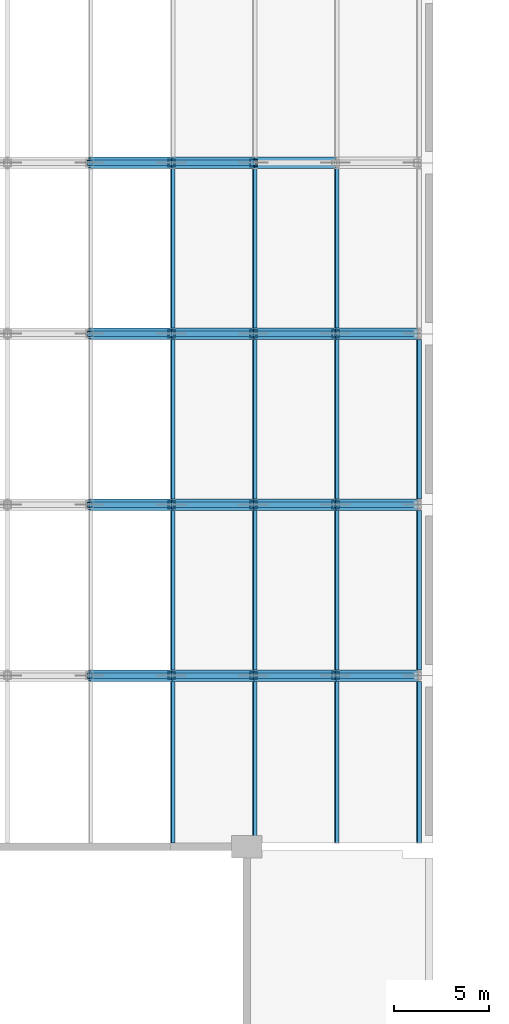
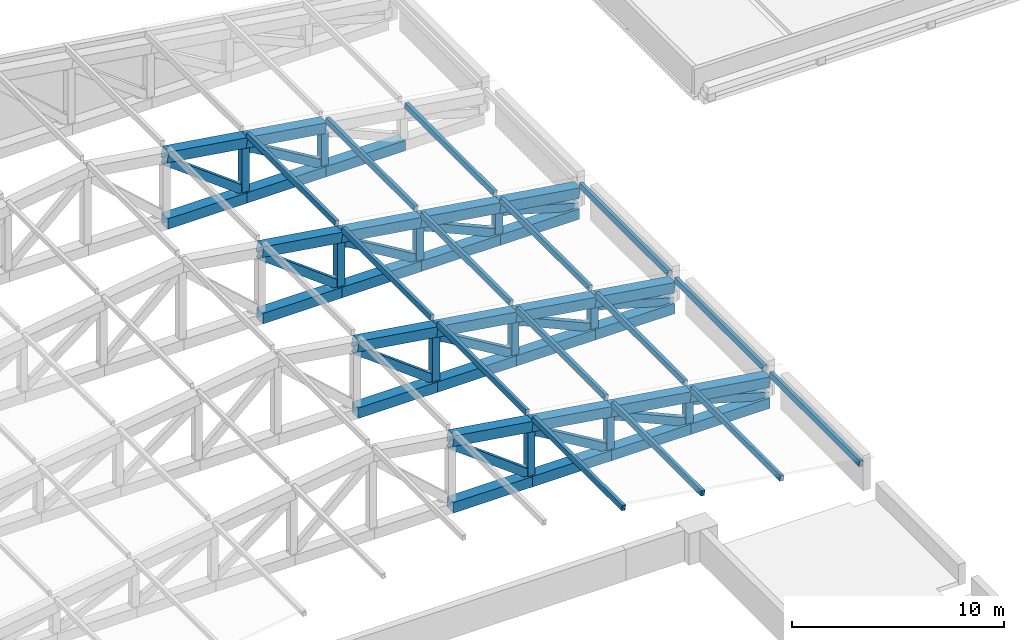
# One storey, part 13 of 32: 69 members.
"""IFC4 building model written with IfcOpenShell, lengths in metres."""

from ifc_helpers import new_model, si_unit, direction, frame, origin, origin_2d, place, context, subcontext, project, spatial, hollow_rectangle, extrude, material, material_profile, profile_set, type_object, element, save


model = new_model("IFC4")

# Units and contexts
model_context = context("Model", 3, precision=1e-05, world=origin(), true_north=direction((0.0, 1.0)))
body_context = subcontext(model_context, "Body", "Model", "MODEL_VIEW")
ifc_project = project(units=[si_unit("LENGTHUNIT", "METRE"), si_unit("AREAUNIT", "SQUARE_METRE"), si_unit("VOLUMEUNIT", "CUBIC_METRE"), si_unit("PLANEANGLEUNIT", "RADIAN"), si_unit("MASSUNIT", "GRAM", prefix="KILO")], contexts=[model_context])

# Site, building, storey
site_placement = place(None, origin())
site = spatial("IfcSite", under=ifc_project, at=site_placement, CompositionType="ELEMENT")
building_placement = place(site_placement, origin())
building = spatial("IfcBuilding", under=site, at=building_placement, Name="Aravalli Gate Trade Fair Centre", CompositionType="ELEMENT")
storey_placement = place(building_placement, frame((0.0, 0.0, 23.39990234375)))
storey = spatial("IfcBuildingStorey", under=building, at=storey_placement, Name="ROOF LEVEL 1", CompositionType="ELEMENT", Elevation=23.39990234375)

# Members
ifc_material = material(Name="Steel E350", Category="steel")
ifc_material_profile_1 = material_profile(ifc_material, hollow_rectangle(XDim=0.199951171875, YDim=0.300048828125, WallThickness=0.011962890625, at=origin_2d()), Name="RHS 300x200x12")
ifc_profile_set_1 = profile_set([ifc_material_profile_1], Name="Steel E350")
member_type_1 = type_object("IfcMemberType", Name="Congress roof purlin RHS 300x200x12", PredefinedType="PURLIN", material=ifc_profile_set_1)
member_1_placement = place(storey_placement, frame((137.10791015625, 64.199951171875, 3.9248046875), z_axis=(0.0, 1.0, 0.0), x_axis=(-0.988529762953, 0.0, 0.151026182356)))
element("IfcMember", 1, at=member_1_placement, inside=storey, type_object=member_type_1, Name="Roof purlin line 8 bay 1", PredefinedType="PURLIN", context=body_context, shape_type="SweptSolid", body=[
    extrude(hollow_rectangle(XDim=0.199951171875, YDim=0.300048828125, WallThickness=0.011962890625, at=origin_2d()), origin(), (0.0, 0.0, 1.0), 8.5),
])
for number, where, z_axis, x_axis, name in (
    (2, (137.10791015625, 73.300048828125, 3.9248046875), (0.0, 1.0, 0.0), (-0.988529762953, 0.0, 0.151026182356), "Roof purlin line 8 bay 2"),
    (3, (137.10791015625, 82.300048828125, 3.9248046875), (0.0, 1.0, 0.0), (-0.988529762953, 0.0, 0.151026182356), "Roof purlin line 8 bay 3"),
    (4, (137.10791015625, 91.300048828125, 3.9248046875), (0.0, 1.0, 0.0), (-0.988529762953, 0.0, 0.151026182356), "Roof purlin line 8 bay 4"),
):
    element("IfcMember", number, at=place(storey_placement, frame(where, z_axis=z_axis, x_axis=x_axis)), inside=storey, type_object=member_type_1, Name=name, PredefinedType="PURLIN", context=body_context, shape_type="SweptSolid", body=[
        extrude(hollow_rectangle(XDim=0.199951171875, YDim=0.300048828125, WallThickness=0.011962890625, at=origin_2d()), origin(), (0.0, 0.0, 1.0), 8.39990234375),
    ])
member_2_placement = place(storey_placement, frame((141.427978515625, 64.199951171875, 3.264892578125), z_axis=(0.0, 1.0, 0.0), x_axis=(-0.988529762953, 0.0, 0.151026182356)))
element("IfcMember", 5, at=member_2_placement, inside=storey, type_object=member_type_1, Name="Roof purlin line 9 bay 1", PredefinedType="PURLIN", context=body_context, shape_type="SweptSolid", body=[
    extrude(hollow_rectangle(XDim=0.199951171875, YDim=0.300048828125, WallThickness=0.011962890625, at=origin_2d()), origin(), (0.0, 0.0, 1.0), 8.5),
])
for number, where, z_axis, x_axis, name in (
    (6, (141.427978515625, 73.300048828125, 3.264892578125), (0.0, 1.0, 0.0), (-0.988529762953, 0.0, 0.151026182356), "Roof purlin line 9 bay 2"),
    (7, (141.427978515625, 82.300048828125, 3.264892578125), (0.0, 1.0, 0.0), (-0.988529762953, 0.0, 0.151026182356), "Roof purlin line 9 bay 3"),
    (8, (141.427978515625, 91.300048828125, 3.264892578125), (0.0, 1.0, 0.0), (-0.988529762953, 0.0, 0.151026182356), "Roof purlin line 9 bay 4"),
):
    element("IfcMember", number, at=place(storey_placement, frame(where, z_axis=z_axis, x_axis=x_axis)), inside=storey, type_object=member_type_1, Name=name, PredefinedType="PURLIN", context=body_context, shape_type="SweptSolid", body=[
        extrude(hollow_rectangle(XDim=0.199951171875, YDim=0.300048828125, WallThickness=0.011962890625, at=origin_2d()), origin(), (0.0, 0.0, 1.0), 8.39990234375),
    ])
member_3_placement = place(storey_placement, frame((145.748046875, 64.199951171875, 2.60498046875), z_axis=(0.0, 1.0, 0.0), x_axis=(-0.988529762953, 0.0, 0.151026182356)))
element("IfcMember", 9, at=member_3_placement, inside=storey, type_object=member_type_1, Name="Roof purlin line 10 bay 1", PredefinedType="PURLIN", context=body_context, shape_type="SweptSolid", body=[
    extrude(hollow_rectangle(XDim=0.199951171875, YDim=0.300048828125, WallThickness=0.011962890625, at=origin_2d()), origin(), (0.0, 0.0, 1.0), 8.5),
])
for number, where, z_axis, x_axis, name in (
    (10, (145.748046875, 73.300048828125, 2.60498046875), (0.0, 1.0, 0.0), (-0.988529762953, 0.0, 0.151026182356), "Roof purlin line 10 bay 2"),
    (11, (145.748046875, 82.300048828125, 2.60498046875), (0.0, 1.0, 0.0), (-0.988529762953, 0.0, 0.151026182356), "Roof purlin line 10 bay 3"),
    (12, (145.748046875, 91.300048828125, 2.60498046875), (0.0, 1.0, 0.0), (-0.988529762953, 0.0, 0.151026182356), "Roof purlin line 10 bay 4"),
):
    element("IfcMember", number, at=place(storey_placement, frame(where, z_axis=z_axis, x_axis=x_axis)), inside=storey, type_object=member_type_1, Name=name, PredefinedType="PURLIN", context=body_context, shape_type="SweptSolid", body=[
        extrude(hollow_rectangle(XDim=0.199951171875, YDim=0.300048828125, WallThickness=0.011962890625, at=origin_2d()), origin(), (0.0, 0.0, 1.0), 8.39990234375),
    ])
member_4_placement = place(storey_placement, frame((150.068115234375, 64.199951171875, 1.94482421875), z_axis=(0.0, 1.0, 0.0), x_axis=(-0.988529762953, 0.0, 0.151026182356)))
element("IfcMember", 13, at=member_4_placement, inside=storey, type_object=member_type_1, Name="Roof purlin line 11 bay 1", PredefinedType="PURLIN", context=body_context, shape_type="SweptSolid", body=[
    extrude(hollow_rectangle(XDim=0.199951171875, YDim=0.300048828125, WallThickness=0.011962890625, at=origin_2d()), origin(), (0.0, 0.0, 1.0), 8.5),
])
for number, where, z_axis, x_axis, name in (
    (14, (150.068115234375, 73.300048828125, 1.94482421875), (0.0, 1.0, 0.0), (-0.988529762953, 0.0, 0.151026182356), "Roof purlin line 11 bay 2"),
    (15, (150.068115234375, 82.300048828125, 1.94482421875), (0.0, 1.0, 0.0), (-0.988529762953, 0.0, 0.151026182356), "Roof purlin line 11 bay 3"),
):
    element("IfcMember", number, at=place(storey_placement, frame(where, z_axis=z_axis, x_axis=x_axis)), inside=storey, type_object=member_type_1, Name=name, PredefinedType="PURLIN", context=body_context, shape_type="SweptSolid", body=[
        extrude(hollow_rectangle(XDim=0.199951171875, YDim=0.300048828125, WallThickness=0.011962890625, at=origin_2d()), origin(), (0.0, 0.0, 1.0), 8.39990234375),
    ])
ifc_material_profile_2 = material_profile(ifc_material, hollow_rectangle(XDim=0.60009765625, YDim=0.60009765625, WallThickness=0.02490234375, at=origin_2d()), Name="BOX 600x600x25")
ifc_profile_set_2 = profile_set([ifc_material_profile_2], Name="Steel E350")
member_type_2 = type_object("IfcMemberType", Name="Congress roof truss chord BOX 600x600x25", PredefinedType="CHORD", material=ifc_profile_set_2)
member_5_placement = place(storey_placement, frame((132.719970703125, 73.0, 0.300048828125), z_axis=(1.0, 0.0, 0.0), x_axis=(0.0, 1.0, 0.0)))
element("IfcMember", 16, at=member_5_placement, inside=storey, type_object=member_type_2, Name="Roof truss 73 bottom chord 7", PredefinedType="CHORD", context=body_context, shape_type="SweptSolid", body=[
    extrude(hollow_rectangle(XDim=0.60009765625, YDim=0.60009765625, WallThickness=0.02490234375, at=origin_2d()), origin(), (0.0, 0.0, 1.0), 4.320068359375),
])
member_6_placement = place(storey_placement, frame((132.719970703125, 73.0, 4.14013671875), z_axis=(0.988524901177, 0.0, -0.151058001288), x_axis=(0.0, 1.0, 0.0)))
element("IfcMember", 17, at=member_6_placement, inside=storey, type_object=member_type_2, Name="Roof truss 73 top chord 7", PredefinedType="CHORD", context=body_context, shape_type="SweptSolid", body=[
    extrude(hollow_rectangle(XDim=0.60009765625, YDim=0.60009765625, WallThickness=0.02490234375, at=origin_2d()), origin(), (0.0, 0.0, 1.0), 4.3701171875),
])
member_7_placement = place(storey_placement, frame((137.0400390625, 73.0, 0.300048828125), z_axis=(1.0, 0.0, 0.0), x_axis=(0.0, 1.0, 0.0)))
element("IfcMember", 18, at=member_7_placement, inside=storey, type_object=member_type_2, Name="Roof truss 73 bottom chord 8", PredefinedType="CHORD", context=body_context, shape_type="SweptSolid", body=[
    extrude(hollow_rectangle(XDim=0.60009765625, YDim=0.60009765625, WallThickness=0.02490234375, at=origin_2d()), origin(), (0.0, 0.0, 1.0), 4.320068359375),
])
member_8_placement = place(storey_placement, frame((137.0400390625, 73.0, 3.47998046875), z_axis=(0.988533241706, 0.0, -0.1510034107), x_axis=(0.0, 1.0, 0.0)))
element("IfcMember", 19, at=member_8_placement, inside=storey, type_object=member_type_2, Name="Roof truss 73 top chord 8", PredefinedType="CHORD", context=body_context, shape_type="SweptSolid", body=[
    extrude(hollow_rectangle(XDim=0.60009765625, YDim=0.60009765625, WallThickness=0.02490234375, at=origin_2d()), origin(), (0.0, 0.0, 1.0), 4.3701171875),
])
member_9_placement = place(storey_placement, frame((141.360107421875, 73.0, 0.300048828125), z_axis=(1.0, 0.0, 0.0), x_axis=(0.0, 1.0, 0.0)))
element("IfcMember", 20, at=member_9_placement, inside=storey, type_object=member_type_2, Name="Roof truss 73 bottom chord 9", PredefinedType="CHORD", context=body_context, shape_type="SweptSolid", body=[
    extrude(hollow_rectangle(XDim=0.60009765625, YDim=0.60009765625, WallThickness=0.02490234375, at=origin_2d()), origin(), (0.0, 0.0, 1.0), 4.31982421875),
])
member_10_placement = place(storey_placement, frame((141.360107421875, 73.0, 2.820068359375), z_axis=(0.988531967762, 0.0, -0.151011750246), x_axis=(0.0, 1.0, 0.0)))
element("IfcMember", 21, at=member_10_placement, inside=storey, type_object=member_type_2, Name="Roof truss 73 top chord 9", PredefinedType="CHORD", context=body_context, shape_type="SweptSolid", body=[
    extrude(hollow_rectangle(XDim=0.60009765625, YDim=0.60009765625, WallThickness=0.02490234375, at=origin_2d()), origin(), (0.0, 0.0, 1.0), 4.369873046875),
])
member_11_placement = place(storey_placement, frame((145.679931640625, 73.0, 0.300048828125), z_axis=(1.0, 0.0, 0.0), x_axis=(0.0, 1.0, 0.0)))
element("IfcMember", 22, at=member_11_placement, inside=storey, type_object=member_type_2, Name="Roof truss 73 bottom chord 10", PredefinedType="CHORD", context=body_context, shape_type="SweptSolid", body=[
    extrude(hollow_rectangle(XDim=0.60009765625, YDim=0.60009765625, WallThickness=0.02490234375, at=origin_2d()), origin(), (0.0, 0.0, 1.0), 4.320068359375),
])
member_12_placement = place(storey_placement, frame((145.679931640625, 73.0, 2.16015625), z_axis=(0.988524901177, 0.0, -0.151058001288), x_axis=(0.0, 1.0, 0.0)))
element("IfcMember", 23, at=member_12_placement, inside=storey, type_object=member_type_2, Name="Roof truss 73 top chord 10", PredefinedType="CHORD", context=body_context, shape_type="SweptSolid", body=[
    extrude(hollow_rectangle(XDim=0.60009765625, YDim=0.60009765625, WallThickness=0.02490234375, at=origin_2d()), origin(), (0.0, 0.0, 1.0), 4.3701171875),
])
member_13_placement = place(storey_placement, frame((132.719970703125, 82.0, 0.300048828125), z_axis=(1.0, 0.0, 0.0), x_axis=(0.0, 1.0, 0.0)))
element("IfcMember", 24, at=member_13_placement, inside=storey, type_object=member_type_2, Name="Roof truss 82 bottom chord 7", PredefinedType="CHORD", context=body_context, shape_type="SweptSolid", body=[
    extrude(hollow_rectangle(XDim=0.60009765625, YDim=0.60009765625, WallThickness=0.02490234375, at=origin_2d()), origin(), (0.0, 0.0, 1.0), 4.320068359375),
])
member_14_placement = place(storey_placement, frame((132.719970703125, 82.0, 4.14013671875), z_axis=(0.988524901177, 0.0, -0.151058001288), x_axis=(0.0, 1.0, 0.0)))
element("IfcMember", 25, at=member_14_placement, inside=storey, type_object=member_type_2, Name="Roof truss 82 top chord 7", PredefinedType="CHORD", context=body_context, shape_type="SweptSolid", body=[
    extrude(hollow_rectangle(XDim=0.60009765625, YDim=0.60009765625, WallThickness=0.02490234375, at=origin_2d()), origin(), (0.0, 0.0, 1.0), 4.3701171875),
])
member_15_placement = place(storey_placement, frame((137.0400390625, 82.0, 0.300048828125), z_axis=(1.0, 0.0, 0.0), x_axis=(0.0, 1.0, 0.0)))
element("IfcMember", 26, at=member_15_placement, inside=storey, type_object=member_type_2, Name="Roof truss 82 bottom chord 8", PredefinedType="CHORD", context=body_context, shape_type="SweptSolid", body=[
    extrude(hollow_rectangle(XDim=0.60009765625, YDim=0.60009765625, WallThickness=0.02490234375, at=origin_2d()), origin(), (0.0, 0.0, 1.0), 4.320068359375),
])
member_16_placement = place(storey_placement, frame((137.0400390625, 82.0, 3.47998046875), z_axis=(0.988533241706, 0.0, -0.1510034107), x_axis=(0.0, 1.0, 0.0)))
element("IfcMember", 27, at=member_16_placement, inside=storey, type_object=member_type_2, Name="Roof truss 82 top chord 8", PredefinedType="CHORD", context=body_context, shape_type="SweptSolid", body=[
    extrude(hollow_rectangle(XDim=0.60009765625, YDim=0.60009765625, WallThickness=0.02490234375, at=origin_2d()), origin(), (0.0, 0.0, 1.0), 4.3701171875),
])
member_17_placement = place(storey_placement, frame((141.360107421875, 82.0, 0.300048828125), z_axis=(1.0, 0.0, 0.0), x_axis=(0.0, 1.0, 0.0)))
element("IfcMember", 28, at=member_17_placement, inside=storey, type_object=member_type_2, Name="Roof truss 82 bottom chord 9", PredefinedType="CHORD", context=body_context, shape_type="SweptSolid", body=[
    extrude(hollow_rectangle(XDim=0.60009765625, YDim=0.60009765625, WallThickness=0.02490234375, at=origin_2d()), origin(), (0.0, 0.0, 1.0), 4.31982421875),
])
member_18_placement = place(storey_placement, frame((141.360107421875, 82.0, 2.820068359375), z_axis=(0.988531967762, 0.0, -0.151011750246), x_axis=(0.0, 1.0, 0.0)))
element("IfcMember", 29, at=member_18_placement, inside=storey, type_object=member_type_2, Name="Roof truss 82 top chord 9", PredefinedType="CHORD", context=body_context, shape_type="SweptSolid", body=[
    extrude(hollow_rectangle(XDim=0.60009765625, YDim=0.60009765625, WallThickness=0.02490234375, at=origin_2d()), origin(), (0.0, 0.0, 1.0), 4.369873046875),
])
member_19_placement = place(storey_placement, frame((145.679931640625, 82.0, 0.300048828125), z_axis=(1.0, 0.0, 0.0), x_axis=(0.0, 1.0, 0.0)))
element("IfcMember", 30, at=member_19_placement, inside=storey, type_object=member_type_2, Name="Roof truss 82 bottom chord 10", PredefinedType="CHORD", context=body_context, shape_type="SweptSolid", body=[
    extrude(hollow_rectangle(XDim=0.60009765625, YDim=0.60009765625, WallThickness=0.02490234375, at=origin_2d()), origin(), (0.0, 0.0, 1.0), 4.320068359375),
])
member_20_placement = place(storey_placement, frame((145.679931640625, 82.0, 2.16015625), z_axis=(0.988524901177, 0.0, -0.151058001288), x_axis=(0.0, 1.0, 0.0)))
element("IfcMember", 31, at=member_20_placement, inside=storey, type_object=member_type_2, Name="Roof truss 82 top chord 10", PredefinedType="CHORD", context=body_context, shape_type="SweptSolid", body=[
    extrude(hollow_rectangle(XDim=0.60009765625, YDim=0.60009765625, WallThickness=0.02490234375, at=origin_2d()), origin(), (0.0, 0.0, 1.0), 4.3701171875),
])
member_21_placement = place(storey_placement, frame((132.719970703125, 91.0, 0.300048828125), z_axis=(1.0, 0.0, 0.0), x_axis=(0.0, 1.0, 0.0)))
element("IfcMember", 32, at=member_21_placement, inside=storey, type_object=member_type_2, Name="Roof truss 91 bottom chord 7", PredefinedType="CHORD", context=body_context, shape_type="SweptSolid", body=[
    extrude(hollow_rectangle(XDim=0.60009765625, YDim=0.60009765625, WallThickness=0.02490234375, at=origin_2d()), origin(), (0.0, 0.0, 1.0), 4.320068359375),
])
member_22_placement = place(storey_placement, frame((132.719970703125, 91.0, 4.14013671875), z_axis=(0.988524901177, 0.0, -0.151058001288), x_axis=(0.0, 1.0, 0.0)))
element("IfcMember", 33, at=member_22_placement, inside=storey, type_object=member_type_2, Name="Roof truss 91 top chord 7", PredefinedType="CHORD", context=body_context, shape_type="SweptSolid", body=[
    extrude(hollow_rectangle(XDim=0.60009765625, YDim=0.60009765625, WallThickness=0.02490234375, at=origin_2d()), origin(), (0.0, 0.0, 1.0), 4.3701171875),
])
member_23_placement = place(storey_placement, frame((137.0400390625, 91.0, 0.300048828125), z_axis=(1.0, 0.0, 0.0), x_axis=(0.0, 1.0, 0.0)))
element("IfcMember", 34, at=member_23_placement, inside=storey, type_object=member_type_2, Name="Roof truss 91 bottom chord 8", PredefinedType="CHORD", context=body_context, shape_type="SweptSolid", body=[
    extrude(hollow_rectangle(XDim=0.60009765625, YDim=0.60009765625, WallThickness=0.02490234375, at=origin_2d()), origin(), (0.0, 0.0, 1.0), 4.320068359375),
])
member_24_placement = place(storey_placement, frame((137.0400390625, 91.0, 3.47998046875), z_axis=(0.988533241706, 0.0, -0.1510034107), x_axis=(0.0, 1.0, 0.0)))
element("IfcMember", 35, at=member_24_placement, inside=storey, type_object=member_type_2, Name="Roof truss 91 top chord 8", PredefinedType="CHORD", context=body_context, shape_type="SweptSolid", body=[
    extrude(hollow_rectangle(XDim=0.60009765625, YDim=0.60009765625, WallThickness=0.02490234375, at=origin_2d()), origin(), (0.0, 0.0, 1.0), 4.3701171875),
])
member_25_placement = place(storey_placement, frame((141.360107421875, 91.0, 0.300048828125), z_axis=(1.0, 0.0, 0.0), x_axis=(0.0, 1.0, 0.0)))
element("IfcMember", 36, at=member_25_placement, inside=storey, type_object=member_type_2, Name="Roof truss 91 bottom chord 9", PredefinedType="CHORD", context=body_context, shape_type="SweptSolid", body=[
    extrude(hollow_rectangle(XDim=0.60009765625, YDim=0.60009765625, WallThickness=0.02490234375, at=origin_2d()), origin(), (0.0, 0.0, 1.0), 4.31982421875),
])
member_26_placement = place(storey_placement, frame((141.360107421875, 91.0, 2.820068359375), z_axis=(0.988531967762, 0.0, -0.151011750246), x_axis=(0.0, 1.0, 0.0)))
element("IfcMember", 37, at=member_26_placement, inside=storey, type_object=member_type_2, Name="Roof truss 91 top chord 9", PredefinedType="CHORD", context=body_context, shape_type="SweptSolid", body=[
    extrude(hollow_rectangle(XDim=0.60009765625, YDim=0.60009765625, WallThickness=0.02490234375, at=origin_2d()), origin(), (0.0, 0.0, 1.0), 4.369873046875),
])
member_27_placement = place(storey_placement, frame((145.679931640625, 91.0, 0.300048828125), z_axis=(1.0, 0.0, 0.0), x_axis=(0.0, 1.0, 0.0)))
element("IfcMember", 38, at=member_27_placement, inside=storey, type_object=member_type_2, Name="Roof truss 91 bottom chord 10", PredefinedType="CHORD", context=body_context, shape_type="SweptSolid", body=[
    extrude(hollow_rectangle(XDim=0.60009765625, YDim=0.60009765625, WallThickness=0.02490234375, at=origin_2d()), origin(), (0.0, 0.0, 1.0), 4.320068359375),
])
member_28_placement = place(storey_placement, frame((145.679931640625, 91.0, 2.16015625), z_axis=(0.988524901177, 0.0, -0.151058001288), x_axis=(0.0, 1.0, 0.0)))
element("IfcMember", 39, at=member_28_placement, inside=storey, type_object=member_type_2, Name="Roof truss 91 top chord 10", PredefinedType="CHORD", context=body_context, shape_type="SweptSolid", body=[
    extrude(hollow_rectangle(XDim=0.60009765625, YDim=0.60009765625, WallThickness=0.02490234375, at=origin_2d()), origin(), (0.0, 0.0, 1.0), 4.3701171875),
])
member_29_placement = place(storey_placement, frame((132.719970703125, 100.0, 0.300048828125), z_axis=(1.0, 0.0, 0.0), x_axis=(0.0, 1.0, 0.0)))
element("IfcMember", 40, at=member_29_placement, inside=storey, type_object=member_type_2, Name="Roof truss 100 bottom chord 7", PredefinedType="CHORD", context=body_context, shape_type="SweptSolid", body=[
    extrude(hollow_rectangle(XDim=0.60009765625, YDim=0.60009765625, WallThickness=0.02490234375, at=origin_2d()), origin(), (0.0, 0.0, 1.0), 4.320068359375),
])
member_30_placement = place(storey_placement, frame((132.719970703125, 100.0, 4.14013671875), z_axis=(0.988524901177, 0.0, -0.151058001288), x_axis=(0.0, 1.0, 0.0)))
element("IfcMember", 41, at=member_30_placement, inside=storey, type_object=member_type_2, Name="Roof truss 100 top chord 7", PredefinedType="CHORD", context=body_context, shape_type="SweptSolid", body=[
    extrude(hollow_rectangle(XDim=0.60009765625, YDim=0.60009765625, WallThickness=0.02490234375, at=origin_2d()), origin(), (0.0, 0.0, 1.0), 4.3701171875),
])
member_31_placement = place(storey_placement, frame((137.0400390625, 100.0, 0.300048828125), z_axis=(1.0, 0.0, 0.0), x_axis=(0.0, 1.0, 0.0)))
element("IfcMember", 42, at=member_31_placement, inside=storey, type_object=member_type_2, Name="Roof truss 100 bottom chord 8", PredefinedType="CHORD", context=body_context, shape_type="SweptSolid", body=[
    extrude(hollow_rectangle(XDim=0.60009765625, YDim=0.60009765625, WallThickness=0.02490234375, at=origin_2d()), origin(), (0.0, 0.0, 1.0), 4.320068359375),
])
member_32_placement = place(storey_placement, frame((137.0400390625, 100.0, 3.47998046875), z_axis=(0.988533241706, 0.0, -0.1510034107), x_axis=(0.0, 1.0, 0.0)))
element("IfcMember", 43, at=member_32_placement, inside=storey, type_object=member_type_2, Name="Roof truss 100 top chord 8", PredefinedType="CHORD", context=body_context, shape_type="SweptSolid", body=[
    extrude(hollow_rectangle(XDim=0.60009765625, YDim=0.60009765625, WallThickness=0.02490234375, at=origin_2d()), origin(), (0.0, 0.0, 1.0), 4.3701171875),
])
member_33_placement = place(storey_placement, frame((141.360107421875, 100.0, 0.300048828125), z_axis=(1.0, 0.0, 0.0), x_axis=(0.0, 1.0, 0.0)))
element("IfcMember", 44, at=member_33_placement, inside=storey, type_object=member_type_2, Name="Roof truss 100 bottom chord 9", PredefinedType="CHORD", context=body_context, shape_type="SweptSolid", body=[
    extrude(hollow_rectangle(XDim=0.60009765625, YDim=0.60009765625, WallThickness=0.02490234375, at=origin_2d()), origin(), (0.0, 0.0, 1.0), 4.31982421875),
])
ifc_material_profile_3 = material_profile(ifc_material, hollow_rectangle(XDim=0.300048828125, YDim=0.449951171875, WallThickness=0.02001953125, at=origin_2d()), Name="RHS 450x300x20")
ifc_profile_set_3 = profile_set([ifc_material_profile_3], Name="Steel E350")
member_type_3 = type_object("IfcMemberType", Name="Congress roof truss diagonal RHS 450x300x20", PredefinedType="BRACE", material=ifc_profile_set_3)
member_34_placement = place(storey_placement, frame((137.0400390625, 73.0, 0.60009765625), z_axis=(-0.800309253103, 0.0, 0.599587440994), x_axis=(0.0, -1.0, 0.0)))
element("IfcMember", 45, at=member_34_placement, inside=storey, type_object=member_type_3, Name="Roof truss 73 diagonal 7", PredefinedType="BRACE", context=body_context, shape_type="SweptSolid", body=[
    extrude(hollow_rectangle(XDim=0.300048828125, YDim=0.449951171875, WallThickness=0.02001953125, at=origin_2d()), origin(), (0.0, 0.0, 1.0), 5.39794921875),
])
member_35_placement = place(storey_placement, frame((141.360107421875, 73.0, 0.60009765625), z_axis=(-0.858860337137, 0.0, 0.512209841074), x_axis=(0.0, -1.0, 0.0)))
element("IfcMember", 46, at=member_35_placement, inside=storey, type_object=member_type_3, Name="Roof truss 73 diagonal 8", PredefinedType="BRACE", context=body_context, shape_type="SweptSolid", body=[
    extrude(hollow_rectangle(XDim=0.300048828125, YDim=0.449951171875, WallThickness=0.02001953125, at=origin_2d()), origin(), (0.0, 0.0, 1.0), 5.030029296875),
])
member_36_placement = place(storey_placement, frame((145.679931640625, 73.0, 0.60009765625), z_axis=(-0.914079770282, 0.0, 0.405534429564), x_axis=(0.0, -1.0, 0.0)))
element("IfcMember", 47, at=member_36_placement, inside=storey, type_object=member_type_3, Name="Roof truss 73 diagonal 9", PredefinedType="BRACE", context=body_context, shape_type="SweptSolid", body=[
    extrude(hollow_rectangle(XDim=0.300048828125, YDim=0.449951171875, WallThickness=0.02001953125, at=origin_2d()), origin(), (0.0, 0.0, 1.0), 4.725830078125),
])
member_37_placement = place(storey_placement, frame((150.0, 73.0, 0.60009765625), z_axis=(-0.960204557867, 0.0, 0.279297703269), x_axis=(0.0, -1.0, 0.0)))
element("IfcMember", 48, at=member_37_placement, inside=storey, type_object=member_type_3, Name="Roof truss 73 diagonal 10", PredefinedType="BRACE", context=body_context, shape_type="SweptSolid", body=[
    extrude(hollow_rectangle(XDim=0.300048828125, YDim=0.449951171875, WallThickness=0.02001953125, at=origin_2d()), origin(), (0.0, 0.0, 1.0), 4.4990234375),
])
member_38_placement = place(storey_placement, frame((137.0400390625, 82.0, 0.60009765625), z_axis=(-0.800309253103, 0.0, 0.599587440994), x_axis=(0.0, -1.0, 0.0)))
element("IfcMember", 49, at=member_38_placement, inside=storey, type_object=member_type_3, Name="Roof truss 82 diagonal 7", PredefinedType="BRACE", context=body_context, shape_type="SweptSolid", body=[
    extrude(hollow_rectangle(XDim=0.300048828125, YDim=0.449951171875, WallThickness=0.02001953125, at=origin_2d()), origin(), (0.0, 0.0, 1.0), 5.39794921875),
])
member_39_placement = place(storey_placement, frame((141.360107421875, 82.0, 0.60009765625), z_axis=(-0.858860337137, 0.0, 0.512209841074), x_axis=(0.0, -1.0, 0.0)))
element("IfcMember", 50, at=member_39_placement, inside=storey, type_object=member_type_3, Name="Roof truss 82 diagonal 8", PredefinedType="BRACE", context=body_context, shape_type="SweptSolid", body=[
    extrude(hollow_rectangle(XDim=0.300048828125, YDim=0.449951171875, WallThickness=0.02001953125, at=origin_2d()), origin(), (0.0, 0.0, 1.0), 5.030029296875),
])
member_40_placement = place(storey_placement, frame((145.679931640625, 82.0, 0.60009765625), z_axis=(-0.914079770282, 0.0, 0.405534429564), x_axis=(0.0, -1.0, 0.0)))
element("IfcMember", 51, at=member_40_placement, inside=storey, type_object=member_type_3, Name="Roof truss 82 diagonal 9", PredefinedType="BRACE", context=body_context, shape_type="SweptSolid", body=[
    extrude(hollow_rectangle(XDim=0.300048828125, YDim=0.449951171875, WallThickness=0.02001953125, at=origin_2d()), origin(), (0.0, 0.0, 1.0), 4.725830078125),
])
member_41_placement = place(storey_placement, frame((150.0, 82.0, 0.60009765625), z_axis=(-0.960204557867, 0.0, 0.279297703269), x_axis=(0.0, -1.0, 0.0)))
element("IfcMember", 52, at=member_41_placement, inside=storey, type_object=member_type_3, Name="Roof truss 82 diagonal 10", PredefinedType="BRACE", context=body_context, shape_type="SweptSolid", body=[
    extrude(hollow_rectangle(XDim=0.300048828125, YDim=0.449951171875, WallThickness=0.02001953125, at=origin_2d()), origin(), (0.0, 0.0, 1.0), 4.4990234375),
])
member_42_placement = place(storey_placement, frame((137.0400390625, 91.0, 0.60009765625), z_axis=(-0.800309253103, 0.0, 0.599587440994), x_axis=(0.0, -1.0, 0.0)))
element("IfcMember", 53, at=member_42_placement, inside=storey, type_object=member_type_3, Name="Roof truss 91 diagonal 7", PredefinedType="BRACE", context=body_context, shape_type="SweptSolid", body=[
    extrude(hollow_rectangle(XDim=0.300048828125, YDim=0.449951171875, WallThickness=0.02001953125, at=origin_2d()), origin(), (0.0, 0.0, 1.0), 5.39794921875),
])
member_43_placement = place(storey_placement, frame((141.360107421875, 91.0, 0.60009765625), z_axis=(-0.858860337137, 0.0, 0.512209841074), x_axis=(0.0, -1.0, 0.0)))
element("IfcMember", 54, at=member_43_placement, inside=storey, type_object=member_type_3, Name="Roof truss 91 diagonal 8", PredefinedType="BRACE", context=body_context, shape_type="SweptSolid", body=[
    extrude(hollow_rectangle(XDim=0.300048828125, YDim=0.449951171875, WallThickness=0.02001953125, at=origin_2d()), origin(), (0.0, 0.0, 1.0), 5.030029296875),
])
member_44_placement = place(storey_placement, frame((145.679931640625, 91.0, 0.60009765625), z_axis=(-0.914079770282, 0.0, 0.405534429564), x_axis=(0.0, -1.0, 0.0)))
element("IfcMember", 55, at=member_44_placement, inside=storey, type_object=member_type_3, Name="Roof truss 91 diagonal 9", PredefinedType="BRACE", context=body_context, shape_type="SweptSolid", body=[
    extrude(hollow_rectangle(XDim=0.300048828125, YDim=0.449951171875, WallThickness=0.02001953125, at=origin_2d()), origin(), (0.0, 0.0, 1.0), 4.725830078125),
])
member_45_placement = place(storey_placement, frame((150.0, 91.0, 0.60009765625), z_axis=(-0.960204557867, 0.0, 0.279297703269), x_axis=(0.0, -1.0, 0.0)))
element("IfcMember", 56, at=member_45_placement, inside=storey, type_object=member_type_3, Name="Roof truss 91 diagonal 10", PredefinedType="BRACE", context=body_context, shape_type="SweptSolid", body=[
    extrude(hollow_rectangle(XDim=0.300048828125, YDim=0.449951171875, WallThickness=0.02001953125, at=origin_2d()), origin(), (0.0, 0.0, 1.0), 4.4990234375),
])
member_46_placement = place(storey_placement, frame((137.0400390625, 100.0, 0.60009765625), z_axis=(-0.800309253103, 0.0, 0.599587440994), x_axis=(0.0, -1.0, 0.0)))
element("IfcMember", 57, at=member_46_placement, inside=storey, type_object=member_type_3, Name="Roof truss 100 diagonal 7", PredefinedType="BRACE", context=body_context, shape_type="SweptSolid", body=[
    extrude(hollow_rectangle(XDim=0.300048828125, YDim=0.449951171875, WallThickness=0.02001953125, at=origin_2d()), origin(), (0.0, 0.0, 1.0), 5.39794921875),
])
member_47_placement = place(storey_placement, frame((141.360107421875, 100.0, 0.60009765625), z_axis=(-0.858860337137, 0.0, 0.512209841074), x_axis=(0.0, -1.0, 0.0)))
element("IfcMember", 58, at=member_47_placement, inside=storey, type_object=member_type_3, Name="Roof truss 100 diagonal 8", PredefinedType="BRACE", context=body_context, shape_type="SweptSolid", body=[
    extrude(hollow_rectangle(XDim=0.300048828125, YDim=0.449951171875, WallThickness=0.02001953125, at=origin_2d()), origin(), (0.0, 0.0, 1.0), 5.030029296875),
])
ifc_material_profile_4 = material_profile(ifc_material, hollow_rectangle(XDim=0.39990234375, YDim=0.39990234375, WallThickness=0.02001953125, at=origin_2d()), Name="BOX 400x400x20")
ifc_profile_set_4 = profile_set([ifc_material_profile_4], Name="Steel E350")
member_type_4 = type_object("IfcMemberType", Name="Congress roof truss post BOX 400x400x20", PredefinedType="POST", material=ifc_profile_set_4)
member_48_placement = place(storey_placement, frame((137.0400390625, 73.0, 0.60009765625), z_axis=(0.0, 0.0, 1.0), x_axis=(1.0, 0.0, 0.0)))
element("IfcMember", 59, at=member_48_placement, inside=storey, type_object=member_type_4, Name="Roof truss 73 post 7", PredefinedType="POST", context=body_context, shape_type="SweptSolid", body=[
    extrude(hollow_rectangle(XDim=0.39990234375, YDim=0.39990234375, WallThickness=0.02001953125, at=origin_2d()), origin(), (0.0, 0.0, 1.0), 2.576416015625),
])
member_49_placement = place(storey_placement, frame((141.360107421875, 73.0, 0.60009765625), z_axis=(0.0, 0.0, 1.0), x_axis=(1.0, 0.0, 0.0)))
element("IfcMember", 60, at=member_49_placement, inside=storey, type_object=member_type_4, Name="Roof truss 73 post 8", PredefinedType="POST", context=body_context, shape_type="SweptSolid", body=[
    extrude(hollow_rectangle(XDim=0.39990234375, YDim=0.39990234375, WallThickness=0.02001953125, at=origin_2d()), origin(), (0.0, 0.0, 1.0), 1.91650390625),
])
member_50_placement = place(storey_placement, frame((145.679931640625, 73.0, 0.60009765625), z_axis=(0.0, 0.0, 1.0), x_axis=(1.0, 0.0, 0.0)))
element("IfcMember", 61, at=member_50_placement, inside=storey, type_object=member_type_4, Name="Roof truss 73 post 9", PredefinedType="POST", context=body_context, shape_type="SweptSolid", body=[
    extrude(hollow_rectangle(XDim=0.39990234375, YDim=0.39990234375, WallThickness=0.02001953125, at=origin_2d()), origin(), (0.0, 0.0, 1.0), 1.256591796875),
])
member_51_placement = place(storey_placement, frame((137.0400390625, 82.0, 0.60009765625), z_axis=(0.0, 0.0, 1.0), x_axis=(1.0, 0.0, 0.0)))
element("IfcMember", 62, at=member_51_placement, inside=storey, type_object=member_type_4, Name="Roof truss 82 post 7", PredefinedType="POST", context=body_context, shape_type="SweptSolid", body=[
    extrude(hollow_rectangle(XDim=0.39990234375, YDim=0.39990234375, WallThickness=0.02001953125, at=origin_2d()), origin(), (0.0, 0.0, 1.0), 2.576416015625),
])
member_52_placement = place(storey_placement, frame((141.360107421875, 82.0, 0.60009765625), z_axis=(0.0, 0.0, 1.0), x_axis=(1.0, 0.0, 0.0)))
element("IfcMember", 63, at=member_52_placement, inside=storey, type_object=member_type_4, Name="Roof truss 82 post 8", PredefinedType="POST", context=body_context, shape_type="SweptSolid", body=[
    extrude(hollow_rectangle(XDim=0.39990234375, YDim=0.39990234375, WallThickness=0.02001953125, at=origin_2d()), origin(), (0.0, 0.0, 1.0), 1.91650390625),
])
member_53_placement = place(storey_placement, frame((145.679931640625, 82.0, 0.60009765625), z_axis=(0.0, 0.0, 1.0), x_axis=(1.0, 0.0, 0.0)))
element("IfcMember", 64, at=member_53_placement, inside=storey, type_object=member_type_4, Name="Roof truss 82 post 9", PredefinedType="POST", context=body_context, shape_type="SweptSolid", body=[
    extrude(hollow_rectangle(XDim=0.39990234375, YDim=0.39990234375, WallThickness=0.02001953125, at=origin_2d()), origin(), (0.0, 0.0, 1.0), 1.256591796875),
])
member_54_placement = place(storey_placement, frame((137.0400390625, 91.0, 0.60009765625), z_axis=(0.0, 0.0, 1.0), x_axis=(1.0, 0.0, 0.0)))
element("IfcMember", 65, at=member_54_placement, inside=storey, type_object=member_type_4, Name="Roof truss 91 post 7", PredefinedType="POST", context=body_context, shape_type="SweptSolid", body=[
    extrude(hollow_rectangle(XDim=0.39990234375, YDim=0.39990234375, WallThickness=0.02001953125, at=origin_2d()), origin(), (0.0, 0.0, 1.0), 2.576416015625),
])
member_55_placement = place(storey_placement, frame((141.360107421875, 91.0, 0.60009765625), z_axis=(0.0, 0.0, 1.0), x_axis=(1.0, 0.0, 0.0)))
element("IfcMember", 66, at=member_55_placement, inside=storey, type_object=member_type_4, Name="Roof truss 91 post 8", PredefinedType="POST", context=body_context, shape_type="SweptSolid", body=[
    extrude(hollow_rectangle(XDim=0.39990234375, YDim=0.39990234375, WallThickness=0.02001953125, at=origin_2d()), origin(), (0.0, 0.0, 1.0), 1.91650390625),
])
member_56_placement = place(storey_placement, frame((145.679931640625, 91.0, 0.60009765625), z_axis=(0.0, 0.0, 1.0), x_axis=(1.0, 0.0, 0.0)))
element("IfcMember", 67, at=member_56_placement, inside=storey, type_object=member_type_4, Name="Roof truss 91 post 9", PredefinedType="POST", context=body_context, shape_type="SweptSolid", body=[
    extrude(hollow_rectangle(XDim=0.39990234375, YDim=0.39990234375, WallThickness=0.02001953125, at=origin_2d()), origin(), (0.0, 0.0, 1.0), 1.256591796875),
])
member_57_placement = place(storey_placement, frame((137.0400390625, 100.0, 0.60009765625), z_axis=(0.0, 0.0, 1.0), x_axis=(1.0, 0.0, 0.0)))
element("IfcMember", 68, at=member_57_placement, inside=storey, type_object=member_type_4, Name="Roof truss 100 post 7", PredefinedType="POST", context=body_context, shape_type="SweptSolid", body=[
    extrude(hollow_rectangle(XDim=0.39990234375, YDim=0.39990234375, WallThickness=0.02001953125, at=origin_2d()), origin(), (0.0, 0.0, 1.0), 2.576416015625),
])
member_58_placement = place(storey_placement, frame((141.360107421875, 100.0, 0.60009765625), z_axis=(0.0, 0.0, 1.0), x_axis=(1.0, 0.0, 0.0)))
element("IfcMember", 69, at=member_58_placement, inside=storey, type_object=member_type_4, Name="Roof truss 100 post 8", PredefinedType="POST", context=body_context, shape_type="SweptSolid", body=[
    extrude(hollow_rectangle(XDim=0.39990234375, YDim=0.39990234375, WallThickness=0.02001953125, at=origin_2d()), origin(), (0.0, 0.0, 1.0), 1.91650390625),
])

save(model, "model.ifc")
